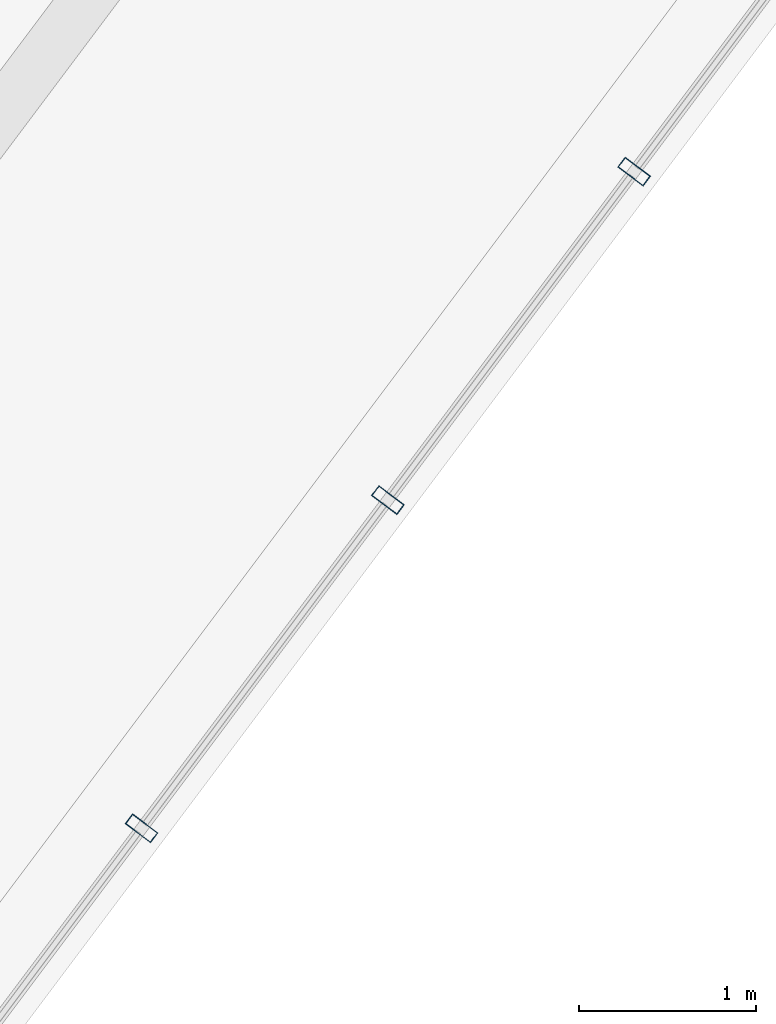
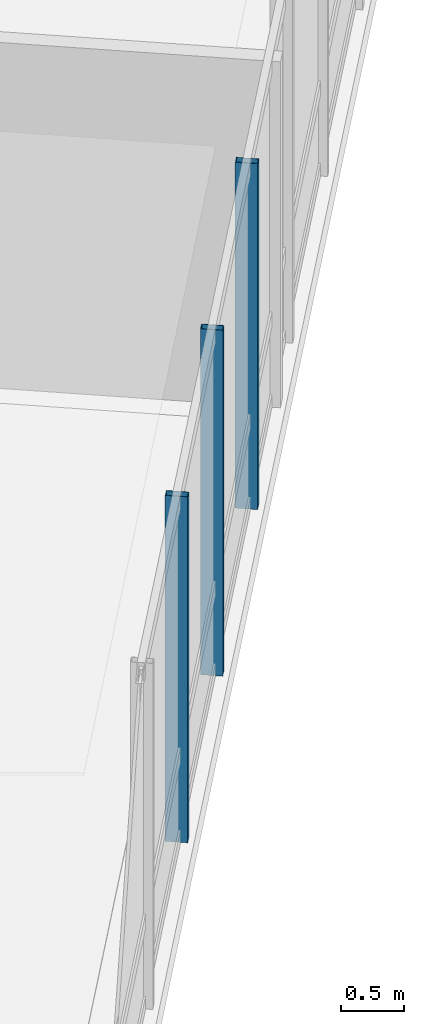
# One storey, part 11 of 24: 3 members, 1 element without a shape of its own.
"""IFC4 building model written with IfcOpenShell, lengths in metres."""

import ifcopenshell
import ifcopenshell.guid

model = None  # the IFC model being written
_history = None  # IfcOwnerHistory: only IFC2X3 demands one
_inside = {}  # id of a spatial element -> (the spatial element, [elements in it])
_under = {}  # id of a project, library or spatial element -> (it, [spatial elements below it])
_declared = {}  # id of a project -> (the project, [libraries it declares])
_typed = {}  # id of a type object -> (the type object, [elements of that type])
_made_of = {}  # id of a material, layer set ... -> (it, [elements and type objects made of it])


def new_model(schema):
    """Start an empty IFC model of exactly this schema.

    Asked for "IFC4X3", IfcOpenShell would pick the latest addendum, in which some entities
    have other attributes; the version numbers below select the first issue.
    IFC2X3 requires an IfcOwnerHistory on every rooted entity: one is made here for all.
    """
    global model, _history
    if schema == "IFC4X3":
        model = ifcopenshell.file(schema_version=(4, 3, 0, 0))
    else:
        model = ifcopenshell.file(schema=schema)
    _inside.clear()
    _under.clear()
    _declared.clear()
    _typed.clear()
    _made_of.clear()
    _history = None
    if model.schema == "IFC2X3":
        org = make("IfcOrganization", Name="unknown")
        user = make(
            "IfcPersonAndOrganization",
            ThePerson=make("IfcPerson", FamilyName="unknown"),
            TheOrganization=org,
        )
        app = make(
            "IfcApplication",
            ApplicationDeveloper=org,
            Version="unknown",
            ApplicationFullName="unknown",
            ApplicationIdentifier="unknown",
        )
        _history = make(
            "IfcOwnerHistory",
            OwningUser=user,
            OwningApplication=app,
            ChangeAction="ADDED",
            CreationDate=0,
        )
    return model


def make(cls, **values):
    """One entity of the class cls with the attributes given. An attribute that is None is left unset."""
    return model.create_entity(
        cls, **{name: value for name, value in values.items() if value is not None}
    )


def rooted(cls, **values):
    """An entity with a GlobalId (a new one), such as an element, a storey or a relation."""
    return make(cls, GlobalId=ifcopenshell.guid.new(), OwnerHistory=_history, **values)


def si_unit(unit_type, name, prefix=None):
    """IfcSIUnit, for example si_unit("LENGTHUNIT", "METRE", prefix="MILLI")."""
    return make("IfcSIUnit", UnitType=unit_type, Prefix=prefix, Name=name)


def assignment(units):
    """IfcUnitAssignment: the units of a project."""
    return None if units is None else make("IfcUnitAssignment", Units=units)


def point(xyz):
    """IfcCartesianPoint."""
    return None if xyz is None else make("IfcCartesianPoint", Coordinates=xyz)


def direction(xyz):
    """IfcDirection."""
    return None if xyz is None else make("IfcDirection", DirectionRatios=xyz)


def frame(location, z_axis=None, x_axis=None):
    """IfcAxis2Placement3D, a coordinate frame: its origin and axes. An axis left out is left unset."""
    return make(
        "IfcAxis2Placement3D",
        Location=point(location),
        Axis=direction(z_axis),
        RefDirection=direction(x_axis),
    )


def frame_2d(location, x_axis=None):
    """IfcAxis2Placement2D, a coordinate frame in the plane: its origin and x axis."""
    return make(
        "IfcAxis2Placement2D", Location=point(location), RefDirection=direction(x_axis)
    )


def origin():
    """The frame at (0, 0, 0) with its axes left unset."""
    return frame((0.0, 0.0, 0.0))


def origin_2d():
    """The frame at (0, 0) in the plane with its x axis left unset."""
    return frame_2d((0.0, 0.0))


def place(relative_to, where):
    """IfcLocalPlacement: puts the frame where relative to a parent placement (None: the world)."""
    return make(
        "IfcLocalPlacement", PlacementRelTo=relative_to, RelativePlacement=where
    )


def context(
    kind, dimensions, precision=None, world=None, true_north=None, identifier=None
):
    """IfcGeometricRepresentationContext, for example the 3D "Model" context."""
    return make(
        "IfcGeometricRepresentationContext",
        ContextIdentifier=identifier,
        ContextType=kind,
        CoordinateSpaceDimension=dimensions,
        Precision=precision,
        WorldCoordinateSystem=world,
        TrueNorth=true_north,
    )


def subcontext(parent, identifier, kind, view, scale=None):
    """IfcGeometricRepresentationSubContext, for example "Body" below "Model"."""
    return make(
        "IfcGeometricRepresentationSubContext",
        ContextIdentifier=identifier,
        ContextType=kind,
        ParentContext=parent,
        TargetScale=scale,
        TargetView=view,
    )


def project(units=None, contexts=None):
    """IfcProject with its units and contexts."""
    return rooted(
        "IfcProject",
        Name="project",
        RepresentationContexts=contexts,
        UnitsInContext=assignment(units),
    )


def spatial(cls, under=None, at=None, **own):
    """A site, building, storey or space (cls), placed at a placement, below another one or the project."""
    s = rooted(cls, ObjectPlacement=at, **own)
    if under is not None:
        _under.setdefault(under.id(), (under, []))[1].append(s)
    return s


def profile(cls, at=None, kind="AREA", **sizes):
    """A parametric profile (cls). Its sizes go by their IFC names, for example OverallWidth=200.0."""
    return make(cls, ProfileType=kind, Position=at, **sizes)


def hollow_rectangle(**sizes):
    """IfcRectangleHollowProfileDef."""
    return profile("IfcRectangleHollowProfileDef", **sizes)


def extrude(swept, where, along, depth):
    """IfcExtrudedAreaSolid: the profile swept, set in the frame where, extruded along a direction by depth."""
    return make(
        "IfcExtrudedAreaSolid",
        SweptArea=swept,
        Position=where,
        ExtrudedDirection=direction(along),
        Depth=depth,
    )


def shape(context_of_items, identifier, shape_type, items):
    """IfcShapeRepresentation: the items that make up one representation, for example the "Body"."""
    return make(
        "IfcShapeRepresentation",
        ContextOfItems=context_of_items,
        RepresentationIdentifier=identifier,
        RepresentationType=shape_type,
        Items=items,
    )


def material(Name=None, Category=None):
    """IfcMaterial."""
    return make("IfcMaterial", Name=Name, Category=Category)


def layer(
    of_material, thickness, ventilated=None, Name=None, Category=None, Priority=None
):
    """IfcMaterialLayer: one layer of a wall or slab, of a material (None: an air gap)."""
    return make(
        "IfcMaterialLayer",
        Material=of_material,
        LayerThickness=thickness,
        IsVentilated=ventilated,
        Name=Name,
        Category=Category,
        Priority=Priority,
    )


def layer_set(layers, Name=None):
    """IfcMaterialLayerSet."""
    return make("IfcMaterialLayerSet", MaterialLayers=layers, LayerSetName=Name)


def material_profile(
    of_material, cross_section, Name=None, Category=None, Priority=None
):
    """IfcMaterialProfile: a cross section and its material."""
    return make(
        "IfcMaterialProfile",
        Name=Name,
        Material=of_material,
        Profile=cross_section,
        Priority=Priority,
        Category=Category,
    )


def profile_set(profiles, Name=None, composite=None):
    """IfcMaterialProfileSet."""
    return make(
        "IfcMaterialProfileSet",
        Name=Name,
        MaterialProfiles=profiles,
        CompositeProfile=composite,
    )


def made_of(thing, what):
    """Note that an element or type object is made of a material, layer set ...; save() writes the relation."""
    if what is not None:
        _made_of.setdefault(what.id(), (what, []))[1].append(thing)
    return thing


def type_object(cls, material=None, **own):
    """A type object (cls), such as IfcWallType, which elements share."""
    return made_of(rooted(cls, **own), material)


def element(
    cls,
    number,
    at=None,
    inside=None,
    cuts=None,
    type_object=None,
    material=None,
    context=None,
    identifier="Body",
    shape_type=None,
    held_by="IfcProductDefinitionShape",
    body=None,
    shapes=None,
    **own,
):
    """One element of the class cls, such as IfcWall. Its Tag is "e" and its number.

    at: its placement. inside: the storey or other place that contains it. cuts: it is an
    opening in that element (IfcRelVoidsElement). A single representation is given by context,
    identifier, shape_type and body (its items); several are given by shapes. held_by: the class
    of the entity that holds the representations. save() writes the other relations.
    """
    e = rooted(cls, Tag="e%d" % number, ObjectPlacement=at, **own)
    if body is not None:
        shapes = [shape(context, identifier, shape_type, body)]
    if shapes is not None:
        e.Representation = make(held_by, Representations=shapes)
    if inside is not None:
        _inside.setdefault(inside.id(), (inside, []))[1].append(e)
    if cuts is not None:
        rooted(
            "IfcRelVoidsElement", RelatingBuildingElement=cuts, RelatedOpeningElement=e
        )
    if type_object is not None:
        _typed.setdefault(type_object.id(), (type_object, []))[1].append(e)
    return made_of(e, material)


def aggregate(whole, parts):
    """IfcRelAggregates: a whole, such as a stair, and the parts it consists of."""
    return rooted("IfcRelAggregates", RelatingObject=whole, RelatedObjects=parts)


def save(model, path):
    """Write the relations noted so far, then the file.

    IfcRelAggregates (storeys below a building ...), IfcRelContainedInSpatialStructure (elements
    in a storey), IfcRelDefinesByType, IfcRelAssociatesMaterial and IfcRelDeclares: one each for
    every whole, place, type object, material and project.
    """
    for whole, parts in _under.values():
        aggregate(whole, parts)
    for where, things in _inside.values():
        rooted(
            "IfcRelContainedInSpatialStructure",
            RelatedElements=things,
            RelatingStructure=where,
        )
    for kind, things in _typed.values():
        rooted("IfcRelDefinesByType", RelatedObjects=things, RelatingType=kind)
    for what, things in _made_of.values():
        rooted("IfcRelAssociatesMaterial", RelatedObjects=things, RelatingMaterial=what)
    for by, libraries in _declared.values():
        rooted("IfcRelDeclares", RelatingContext=by, RelatedDefinitions=libraries)
    model.write(path)


model = new_model("IFC4")

# Units and contexts
model_context = context("Model", 3, precision=1e-05, world=origin(), true_north=direction((0.0, 1.0)))
body_context = subcontext(model_context, "Body", "Model", "MODEL_VIEW")
ifc_project = project(units=[si_unit("LENGTHUNIT", "METRE"), si_unit("AREAUNIT", "SQUARE_METRE"), si_unit("VOLUMEUNIT", "CUBIC_METRE"), si_unit("PLANEANGLEUNIT", "RADIAN"), si_unit("MASSUNIT", "GRAM", prefix="KILO")], contexts=[model_context])

# Site, building, storey
site_placement = place(None, origin())
site = spatial("IfcSite", under=ifc_project, at=site_placement, CompositionType="ELEMENT")
building_placement = place(site_placement, origin())
building = spatial("IfcBuilding", under=site, at=building_placement, Name="Hatsunagi Terrace Concourse", CompositionType="ELEMENT")
storey_placement = place(building_placement, frame((0.0, 0.0, 202.35009765625)))
storey = spatial("IfcBuildingStorey", under=building, at=storey_placement, Name="L53", CompositionType="ELEMENT", Elevation=202.35009765625)

# Curtain wall, members
ifc_material_1 = material(Name="Anodised Aluminium Alloy 6063-T5", Category="aluminium")
ifc_layer = layer(ifc_material_1, 0.199951171875)
ifc_layer_set = layer_set([ifc_layer], Name="OfficeZone2_CW04")
curtain_wall_type = type_object("IfcCurtainWallType", Name="OfficeZone2_CW04", PredefinedType="NOTDEFINED", material=ifc_layer_set)
curtain_wall_placement = place(storey_placement, origin())
curtain_wall = element("IfcCurtainWall", 1, at=curtain_wall_placement, inside=storey, type_object=curtain_wall_type, Name="Unitised Curtain Wall CW-04 CW-L53-03", PredefinedType="NOTDEFINED")
ifc_material_2 = material(Name="Anodised Aluminium Alloy 6063-T5", Category="aluminium")
ifc_material_profile = material_profile(ifc_material_2, hollow_rectangle(XDim=0.070068359375, YDim=0.179931640625, WallThickness=0.00390625, at=origin_2d()), Name="ALU-MUL-180x70x4")
ifc_profile_set = profile_set([ifc_material_profile], Name="Anodised Aluminium Alloy 6063-T5")
member_type = type_object("IfcMemberType", Name="CurtainWallMullion_180x70", PredefinedType="MULLION", material=ifc_profile_set)
member_1_placement = place(storey_placement, frame((53.73193359375, 16.676025390625, 0.0), z_axis=(0.0, 0.0, 1.0), x_axis=(-0.599969314634, -0.800023013105, 0.0)))
member_1 = element("IfcMember", 2, at=member_1_placement, type_object=member_type, Name="Curtain Wall Mullion MUL-02", PredefinedType="MULLION", context=body_context, shape_type="SweptSolid", body=[
    extrude(hollow_rectangle(XDim=0.070068359375, YDim=0.179931640625, WallThickness=0.00390625, at=origin_2d()), origin(), (0.0, 0.0, 1.0), 3.349853515625),
])
member_2_placement = place(storey_placement, frame((52.340087890625, 14.819091796875, 0.0), z_axis=(0.0, 0.0, 1.0), x_axis=(-0.599969314634, -0.800023013105, 0.0)))
member_2 = element("IfcMember", 3, at=member_2_placement, type_object=member_type, Name="Curtain Wall Mullion MUL-02", PredefinedType="MULLION", context=body_context, shape_type="SweptSolid", body=[
    extrude(hollow_rectangle(XDim=0.070068359375, YDim=0.179931640625, WallThickness=0.00390625, at=origin_2d()), origin(), (0.0, 0.0, 1.0), 3.349853515625),
])
member_3_placement = place(storey_placement, frame((50.947021484375, 12.962890625, 0.0), z_axis=(0.0, 0.0, 1.0), x_axis=(-0.599969314634, -0.800023013105, 0.0)))
member_3 = element("IfcMember", 4, at=member_3_placement, type_object=member_type, Name="Curtain Wall Mullion MUL-02", PredefinedType="MULLION", context=body_context, shape_type="SweptSolid", body=[
    extrude(hollow_rectangle(XDim=0.070068359375, YDim=0.179931640625, WallThickness=0.00390625, at=origin_2d()), origin(), (0.0, 0.0, 1.0), 3.349853515625),
])
aggregate(curtain_wall, [member_1, member_2, member_3])

save(model, "model.ifc")
